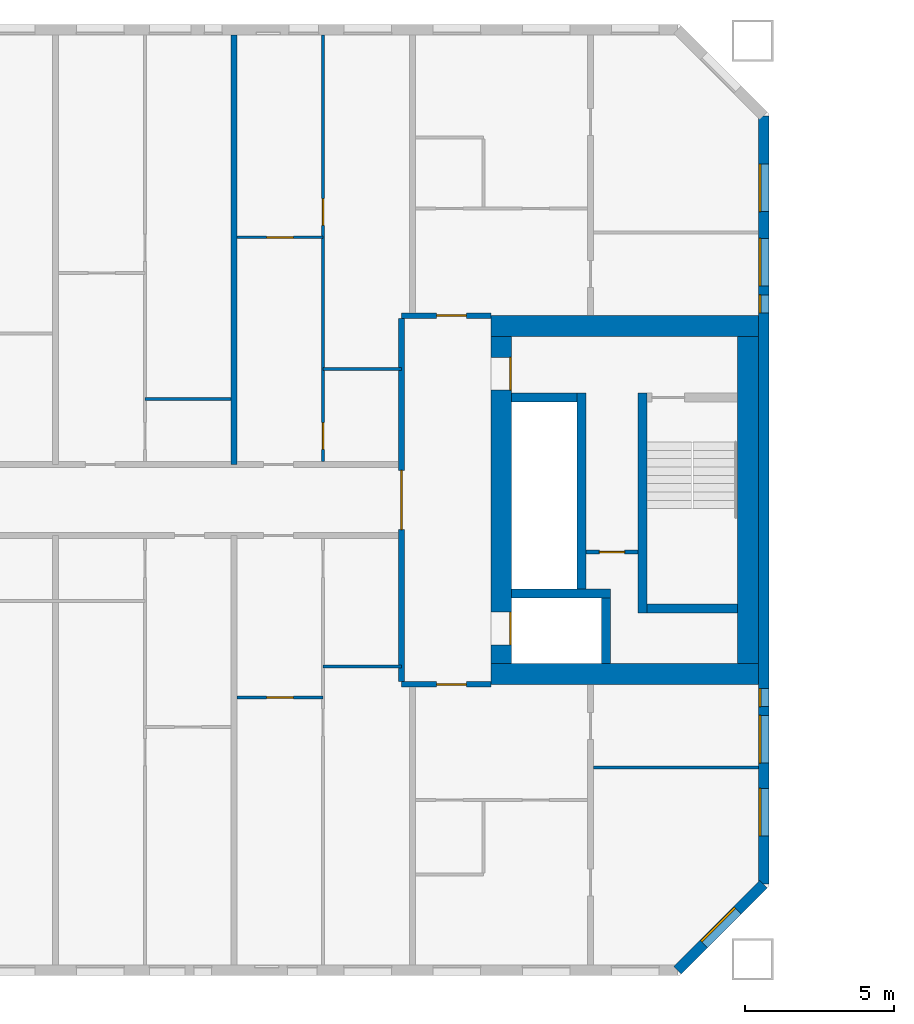
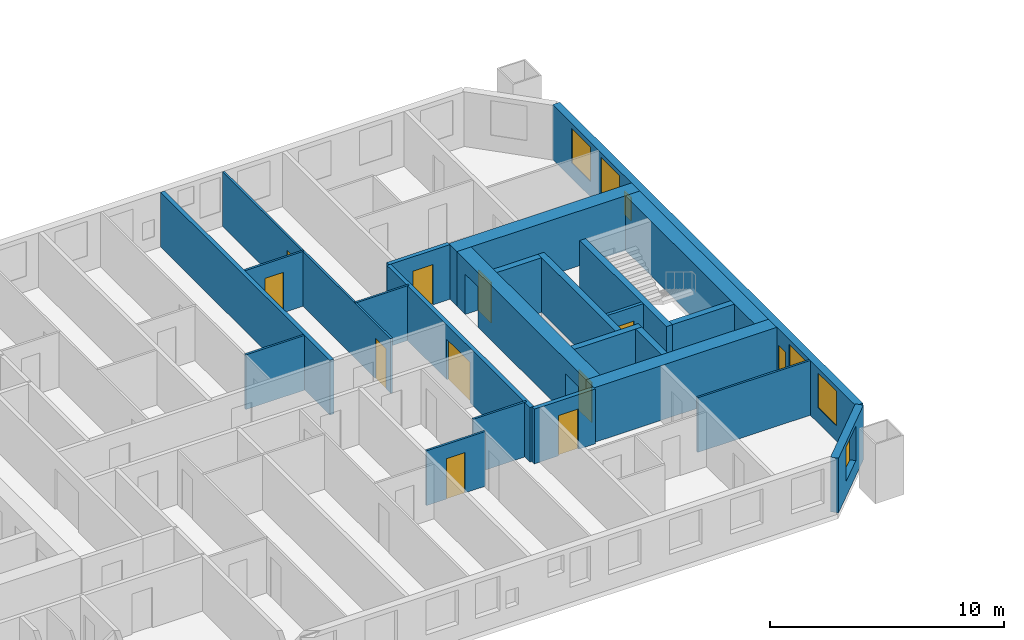
# One storey, part 7 of 17: 24 walls, 10 doors, 7 windows, 17 openings.
"""IFC4 building model written with IfcOpenShell, lengths in metres."""

from ifc_helpers import new_model, si_unit, direction, frame, frame_2d, origin, place, context, subcontext, project, spatial, rectangle, extrude, material, layer, layer_set, type_object, element, fill, save


model = new_model("IFC4")

# Units and contexts
model_context = context("Model", 3, precision=1e-05, world=origin(), true_north=direction((0.0, 1.0)))
body_context = subcontext(model_context, "Body", "Model", "MODEL_VIEW")
ifc_project = project(units=[si_unit("LENGTHUNIT", "METRE"), si_unit("AREAUNIT", "SQUARE_METRE"), si_unit("VOLUMEUNIT", "CUBIC_METRE"), si_unit("PLANEANGLEUNIT", "RADIAN"), si_unit("MASSUNIT", "GRAM", prefix="KILO")], contexts=[model_context])

# Site, building, storey
site_placement = place(None, origin())
site = spatial("IfcSite", under=ifc_project, at=site_placement, CompositionType="ELEMENT")
building_placement = place(site_placement, origin())
building = spatial("IfcBuilding", under=site, at=building_placement, Name="Tuart Gate Housing", CompositionType="ELEMENT")
storey_placement = place(building_placement, frame((0.0, 0.0, 80.89990234375)))
storey = spatial("IfcBuildingStorey", under=building, at=storey_placement, Name="L22", CompositionType="ELEMENT", Elevation=80.89990234375)

# Wall, opening, window
ifc_material_1 = material(Name="Brick", Category="masonry")
ifc_layer_1 = layer(ifc_material_1, 0.360107421875)
ifc_layer_set_1 = layer_set([ifc_layer_1], Name="Brick pier and spandrel wall 360")
wall_type_1 = type_object("IfcWallType", Name="Brick pier and spandrel wall 360", PredefinedType="STANDARD", material=ifc_layer_set_1)
wall_1_placement = place(storey_placement, frame((72.92529296875, 54.179931640625, 0.0), z_axis=(0.0, 0.0, 1.0), x_axis=(0.707106781187, 0.707106781187, 0.0)))
wall_1 = element("IfcWall", 1, at=wall_1_placement, inside=storey, type_object=wall_type_1, Name="External wall A-SE L22", PredefinedType="STANDARD", context=body_context, shape_type="SweptSolid", body=[
    extrude(rectangle(XDim=4.09375, YDim=0.360107421875, at=frame_2d((2.046875, 0.0))), origin(), (0.0, 0.0, 1.0), 2.85009765625),
])
opening_1_placement = place(wall_1_placement, frame((1.2470703125, 0.0, 0.800048828125)))
opening_1 = element("IfcOpeningElement", 2, at=opening_1_placement, cuts=wall_1, Name="Opening W1", PredefinedType="OPENING", context=body_context, shape_type="SweptSolid", body=[
    extrude(rectangle(XDim=1.60009765625, YDim=1.800048828125, at=frame_2d((0.800048828125, 0.89990234375))), frame((0.0, 0.18994140625, 0.0), z_axis=(0.0, -1.0, 0.0), x_axis=(1.0, 0.0, 0.0)), (0.0, 0.0, 1.0), 0.380126953125),
])
ifc_material_2 = material(Name="Aluminium frame with clear glass", Category="aluminium")
window_type_1 = type_object("IfcWindowType", Name="Punched window 1600 x 1800", PartitioningType="SINGLE_PANEL", PredefinedType="WINDOW", material=ifc_material_2)
window_1_placement = place(opening_1_placement, origin())
window_1 = element("IfcWindow", 3, at=window_1_placement, inside=storey, type_object=window_type_1, Name="Window W1", OverallHeight=1.800048828125, OverallWidth=1.60009765625, PartitioningType="SINGLE_PANEL", PredefinedType="WINDOW", context=body_context, shape_type="SweptSolid", body=[
    extrude(rectangle(XDim=1.60009765625, YDim=1.800048828125, at=frame_2d((0.800048828125, 0.89990234375))), frame((0.0, 0.150146484375, 0.0), z_axis=(0.0, -1.0, 0.0), x_axis=(1.0, 0.0, 0.0)), (0.0, 0.0, 1.0), 0.06005859375),
])
fill(opening_1, window_1)

# Wall, openings, windows
wall_2_placement = place(storey_placement, frame((75.820068359375, 57.07470703125, 0.0), z_axis=(0.0, 0.0, 1.0), x_axis=(0.0, 1.0, 0.0)))
wall_2 = element("IfcWall", 4, at=wall_2_placement, inside=storey, type_object=wall_type_1, Name="External wall A-E L22", PredefinedType="STANDARD", context=body_context, shape_type="SweptSolid", body=[
    extrude(rectangle(XDim=25.850830078125, YDim=0.360107421875, at=frame_2d((12.92529296875, 0.0))), origin(), (0.0, 0.0, 1.0), 2.85009765625),
])
opening_2_placement = place(wall_2_placement, frame((1.62548828125, 0.0, 0.800048828125)))
opening_2 = element("IfcOpeningElement", 5, at=opening_2_placement, cuts=wall_2, Name="Opening W1", PredefinedType="OPENING", context=body_context, shape_type="SweptSolid", body=[
    extrude(rectangle(XDim=1.60009765625, YDim=1.800048828125, at=frame_2d((0.800048828125, 0.89990234375))), frame((0.0, 0.18994140625, 0.0), z_axis=(0.0, -1.0, 0.0), x_axis=(1.0, 0.0, 0.0)), (0.0, 0.0, 1.0), 0.380126953125),
])
opening_3_placement = place(wall_2_placement, frame((4.075439453125, 0.0, 0.800048828125)))
opening_3 = element("IfcOpeningElement", 6, at=opening_3_placement, cuts=wall_2, Name="Opening W1", PredefinedType="OPENING", context=body_context, shape_type="SweptSolid", body=[
    extrude(rectangle(XDim=1.60009765625, YDim=1.800048828125, at=frame_2d((0.800048828125, 0.89990234375))), frame((0.0, 0.18994140625, 0.0), z_axis=(0.0, -1.0, 0.0), x_axis=(1.0, 0.0, 0.0)), (0.0, 0.0, 1.0), 0.380126953125),
])
opening_4_placement = place(wall_2_placement, frame((19.225341796875, 0.0, 0.800048828125)))
opening_4 = element("IfcOpeningElement", 7, at=opening_4_placement, cuts=wall_2, Name="Opening W1Q", PredefinedType="OPENING", context=body_context, shape_type="SweptSolid", body=[
    extrude(rectangle(XDim=0.60009765625, YDim=1.199951171875, at=frame_2d((0.300048828125, 0.60009765625))), frame((0.0, 0.18994140625, 0.0), z_axis=(0.0, -1.0, 0.0), x_axis=(1.0, 0.0, 0.0)), (0.0, 0.0, 1.0), 0.380126953125),
])
opening_5_placement = place(wall_2_placement, frame((22.62548828125, 0.0, 0.800048828125)))
opening_5 = element("IfcOpeningElement", 8, at=opening_5_placement, cuts=wall_2, Name="Opening W1", PredefinedType="OPENING", context=body_context, shape_type="SweptSolid", body=[
    extrude(rectangle(XDim=1.60009765625, YDim=1.800048828125, at=frame_2d((0.800048828125, 0.89990234375))), frame((0.0, 0.18994140625, 0.0), z_axis=(0.0, -1.0, 0.0), x_axis=(1.0, 0.0, 0.0)), (0.0, 0.0, 1.0), 0.380126953125),
])
opening_6_placement = place(wall_2_placement, frame((5.975341796875, 0.0, 0.800048828125)))
opening_6 = element("IfcOpeningElement", 9, at=opening_6_placement, cuts=wall_2, Name="Opening W1Q", PredefinedType="OPENING", context=body_context, shape_type="SweptSolid", body=[
    extrude(rectangle(XDim=0.60009765625, YDim=1.199951171875, at=frame_2d((0.300048828125, 0.60009765625))), frame((0.0, 0.18994140625, 0.0), z_axis=(0.0, -1.0, 0.0), x_axis=(1.0, 0.0, 0.0)), (0.0, 0.0, 1.0), 0.380126953125),
])
opening_7_placement = place(wall_2_placement, frame((20.12548828125, 0.0, 0.800048828125)))
opening_7 = element("IfcOpeningElement", 10, at=opening_7_placement, cuts=wall_2, Name="Opening W1", PredefinedType="OPENING", context=body_context, shape_type="SweptSolid", body=[
    extrude(rectangle(XDim=1.60009765625, YDim=1.800048828125, at=frame_2d((0.800048828125, 0.89990234375))), frame((0.0, 0.18994140625, 0.0), z_axis=(0.0, -1.0, 0.0), x_axis=(1.0, 0.0, 0.0)), (0.0, 0.0, 1.0), 0.380126953125),
])
window_2_placement = place(opening_2_placement, origin())
window_2 = element("IfcWindow", 11, at=window_2_placement, inside=storey, type_object=window_type_1, Name="Window W1", OverallHeight=1.800048828125, OverallWidth=1.60009765625, PartitioningType="SINGLE_PANEL", PredefinedType="WINDOW", context=body_context, shape_type="SweptSolid", body=[
    extrude(rectangle(XDim=1.60009765625, YDim=1.800048828125, at=frame_2d((0.800048828125, 0.89990234375))), frame((0.0, 0.150146484375, 0.0), z_axis=(0.0, -1.0, 0.0), x_axis=(1.0, 0.0, 0.0)), (0.0, 0.0, 1.0), 0.06005859375),
])
fill(opening_2, window_2)
window_3_placement = place(opening_3_placement, origin())
window_3 = element("IfcWindow", 12, at=window_3_placement, inside=storey, type_object=window_type_1, Name="Window W1", OverallHeight=1.800048828125, OverallWidth=1.60009765625, PartitioningType="SINGLE_PANEL", PredefinedType="WINDOW", context=body_context, shape_type="SweptSolid", body=[
    extrude(rectangle(XDim=1.60009765625, YDim=1.800048828125, at=frame_2d((0.800048828125, 0.89990234375))), frame((0.0, 0.150146484375, 0.0), z_axis=(0.0, -1.0, 0.0), x_axis=(1.0, 0.0, 0.0)), (0.0, 0.0, 1.0), 0.06005859375),
])
fill(opening_3, window_3)
window_4_placement = place(opening_5_placement, origin())
window_4 = element("IfcWindow", 13, at=window_4_placement, inside=storey, type_object=window_type_1, Name="Window W1", OverallHeight=1.800048828125, OverallWidth=1.60009765625, PartitioningType="SINGLE_PANEL", PredefinedType="WINDOW", context=body_context, shape_type="SweptSolid", body=[
    extrude(rectangle(XDim=1.60009765625, YDim=1.800048828125, at=frame_2d((0.800048828125, 0.89990234375))), frame((0.0, 0.150146484375, 0.0), z_axis=(0.0, -1.0, 0.0), x_axis=(1.0, 0.0, 0.0)), (0.0, 0.0, 1.0), 0.06005859375),
])
fill(opening_5, window_4)
window_5_placement = place(opening_7_placement, origin())
window_5 = element("IfcWindow", 14, at=window_5_placement, inside=storey, type_object=window_type_1, Name="Window W1", OverallHeight=1.800048828125, OverallWidth=1.60009765625, PartitioningType="SINGLE_PANEL", PredefinedType="WINDOW", context=body_context, shape_type="SweptSolid", body=[
    extrude(rectangle(XDim=1.60009765625, YDim=1.800048828125, at=frame_2d((0.800048828125, 0.89990234375))), frame((0.0, 0.150146484375, 0.0), z_axis=(0.0, -1.0, 0.0), x_axis=(1.0, 0.0, 0.0)), (0.0, 0.0, 1.0), 0.06005859375),
])
fill(opening_7, window_5)
ifc_material_3 = material(Name="Aluminium frame with clear glass", Category="aluminium")
window_type_2 = type_object("IfcWindowType", Name="Punched window 600 x 1200", PartitioningType="SINGLE_PANEL", PredefinedType="WINDOW", material=ifc_material_3)
window_6_placement = place(opening_4_placement, origin())
window_6 = element("IfcWindow", 15, at=window_6_placement, inside=storey, type_object=window_type_2, Name="Window W1Q", OverallHeight=1.199951171875, OverallWidth=0.60009765625, PartitioningType="SINGLE_PANEL", PredefinedType="WINDOW", context=body_context, shape_type="SweptSolid", body=[
    extrude(rectangle(XDim=0.60009765625, YDim=1.199951171875, at=frame_2d((0.300048828125, 0.60009765625))), frame((0.0, 0.150146484375, 0.0), z_axis=(0.0, -1.0, 0.0), x_axis=(1.0, 0.0, 0.0)), (0.0, 0.0, 1.0), 0.06005859375),
])
fill(opening_4, window_6)
window_7_placement = place(opening_6_placement, origin())
window_7 = element("IfcWindow", 16, at=window_7_placement, inside=storey, type_object=window_type_2, Name="Window W1Q", OverallHeight=1.199951171875, OverallWidth=0.60009765625, PartitioningType="SINGLE_PANEL", PredefinedType="WINDOW", context=body_context, shape_type="SweptSolid", body=[
    extrude(rectangle(XDim=0.60009765625, YDim=1.199951171875, at=frame_2d((0.300048828125, 0.60009765625))), frame((0.0, 0.150146484375, 0.0), z_axis=(0.0, -1.0, 0.0), x_axis=(1.0, 0.0, 0.0)), (0.0, 0.0, 1.0), 0.06005859375),
])
fill(opening_6, window_7)

# Wall, opening, door
ifc_material_4 = material(Name="Plasterboard partition")
ifc_layer_2 = layer(ifc_material_4, 0.14990234375)
ifc_layer_set_2 = layer_set([ifc_layer_2], Name="Core partition 150")
wall_type_2 = type_object("IfcWallType", Name="Core partition 150", PredefinedType="PARTITIONING", material=ifc_layer_set_2)
wall_3_placement = place(storey_placement, frame((69.840087890625, 68.25, 0.0), z_axis=(0.0, 0.0, 1.0), x_axis=(1.0, 0.0, 0.0)))
wall_3 = element("IfcWall", 17, at=wall_3_placement, inside=storey, type_object=wall_type_2, Name="Core partition AG.3", PredefinedType="PARTITIONING", context=body_context, shape_type="SweptSolid", body=[
    extrude(rectangle(XDim=1.75, YDim=0.14990234375, at=frame_2d((0.875, 0.0))), origin(), (0.0, 0.0, 1.0), 2.85009765625),
])
opening_8_placement = place(wall_3_placement, frame((0.449951171875, 0.0, 0.0)))
opening_8 = element("IfcOpeningElement", 18, at=opening_8_placement, cuts=wall_3, Name="Opening D988", PredefinedType="OPENING", context=body_context, shape_type="SweptSolid", body=[
    extrude(rectangle(XDim=0.85009765625, YDim=2.10009765625, at=frame_2d((0.425048828125, 1.050048828125))), frame((0.0, 0.0849609375, 0.0), z_axis=(0.0, -1.0, 0.0), x_axis=(1.0, 0.0, 0.0)), (0.0, 0.0, 1.0), 0.169921875),
])
ifc_material_5 = material(Name="Steel fire door", Category="steel")
door_type_1 = type_object("IfcDoorType", Name="Riser door 850 x 2100 RH", OperationType="SINGLE_SWING_RIGHT", PredefinedType="DOOR", material=ifc_material_5)
door_1_placement = place(opening_8_placement, frame((0.85009765625, 0.0, 0.0), z_axis=(0.0, 0.0, 1.0), x_axis=(-1.0, 0.0, 0.0)))
door_1 = element("IfcDoor", 19, at=door_1_placement, inside=storey, type_object=door_type_1, Name="Service room door AG.E1", OperationType="SINGLE_SWING_RIGHT", OverallHeight=2.10009765625, OverallWidth=0.85009765625, PredefinedType="DOOR", context=body_context, shape_type="SweptSolid", body=[
    extrude(rectangle(XDim=0.85009765625, YDim=2.10009765625, at=frame_2d((0.425048828125, 1.050048828125))), frame((0.0, 0.025146484375, 0.0), z_axis=(0.0, -1.0, 0.0), x_axis=(1.0, 0.0, 0.0)), (0.0, 0.0, 1.0), 0.050048828125),
])
fill(opening_8, door_1)

# Walls
ifc_material_6 = material(Name="Concrete C50", Category="concrete")
ifc_layer_3 = layer(ifc_material_6, 0.300048828125)
ifc_layer_set_3 = layer_set([ifc_layer_3], Name="Core wall 300 C50")
wall_type_3 = type_object("IfcWallType", Name="Core wall 300 C50", PredefinedType="SHEAR", material=ifc_layer_set_3)
wall_4_placement = place(storey_placement, frame((71.889892578125, 66.35009765625, 0.0), z_axis=(0.0, 0.0, 1.0), x_axis=(1.0, 0.0, 0.0)))
element("IfcWall", 20, at=wall_4_placement, inside=storey, type_object=wall_type_3, Name="Core wall AG.1", PredefinedType="SHEAR", context=body_context, shape_type="SweptSolid", body=[
    extrude(rectangle(XDim=3.050048828125, YDim=0.300048828125, at=frame_2d((1.52490234375, 0.0))), origin(), (0.0, 0.0, 1.0), 2.85009765625),
])
wall_5_placement = place(storey_placement, frame((67.340087890625, 66.85009765625, 0.0), z_axis=(0.0, 0.0, 1.0), x_axis=(1.0, 0.0, 0.0)))
element("IfcWall", 21, at=wall_5_placement, inside=storey, type_object=wall_type_3, Name="Core wall AG.2", PredefinedType="SHEAR", context=body_context, shape_type="SweptSolid", body=[
    extrude(rectangle(XDim=3.31982421875, YDim=0.300048828125, at=frame_2d((1.659912109375, 0.0))), origin(), (0.0, 0.0, 1.0), 2.85009765625),
])
wall_6_placement = place(storey_placement, frame((67.340087890625, 73.449951171875, 0.0), z_axis=(0.0, 0.0, 1.0), x_axis=(1.0, 0.0, 0.0)))
element("IfcWall", 22, at=wall_6_placement, inside=storey, type_object=wall_type_3, Name="Core wall AG.4", PredefinedType="SHEAR", context=body_context, shape_type="SweptSolid", body=[
    extrude(rectangle(XDim=2.199951171875, YDim=0.300048828125, at=frame_2d((1.10009765625, 0.0))), origin(), (0.0, 0.0, 1.0), 2.85009765625),
])
wall_7_placement = place(storey_placement, frame((69.68994140625, 67.0, 0.0), z_axis=(0.0, 0.0, 1.0), x_axis=(0.0, 1.0, 0.0)))
element("IfcWall", 23, at=wall_7_placement, inside=storey, type_object=wall_type_3, Name="Core wall AG.6", PredefinedType="SHEAR", context=body_context, shape_type="SweptSolid", body=[
    extrude(rectangle(XDim=6.60009765625, YDim=0.300048828125, at=frame_2d((3.300048828125, 0.0))), origin(), (0.0, 0.0, 1.0), 2.85009765625),
])
wall_8_placement = place(storey_placement, frame((70.510009765625, 64.5, 0.0), z_axis=(0.0, 0.0, 1.0), x_axis=(0.0, 1.0, 0.0)))
element("IfcWall", 24, at=wall_8_placement, inside=storey, type_object=wall_type_3, Name="Core wall AG.7", PredefinedType="SHEAR", context=body_context, shape_type="SweptSolid", body=[
    extrude(rectangle(XDim=2.199951171875, YDim=0.300048828125, at=frame_2d((1.10009765625, 0.0))), origin(), (0.0, 0.0, 1.0), 2.85009765625),
])
wall_9_placement = place(storey_placement, frame((71.739990234375, 66.199951171875, 0.0), z_axis=(0.0, 0.0, 1.0), x_axis=(0.0, 1.0, 0.0)))
element("IfcWall", 25, at=wall_9_placement, inside=storey, type_object=wall_type_3, Name="Core wall AG.8", PredefinedType="SHEAR", context=body_context, shape_type="SweptSolid", body=[
    extrude(rectangle(XDim=7.400146484375, YDim=0.300048828125, at=frame_2d((3.7001953125, 0.0))), origin(), (0.0, 0.0, 1.0), 2.85009765625),
])

# Wall, openings, doors
ifc_material_7 = material(Name="Concrete C50", Category="concrete")
ifc_layer_4 = layer(ifc_material_7, 0.699951171875)
ifc_layer_set_4 = layer_set([ifc_layer_4], Name="Core wall 700 C50")
wall_type_4 = type_object("IfcWallType", Name="Core wall 700 C50", PredefinedType="SHEAR", material=ifc_layer_set_4)
wall_10_placement = place(storey_placement, frame((66.989990234375, 64.5, 0.0), z_axis=(0.0, 0.0, 1.0), x_axis=(0.0, 1.0, 0.0)))
wall_10 = element("IfcWall", 26, at=wall_10_placement, inside=storey, type_object=wall_type_4, Name="Core wall AG front", PredefinedType="SHEAR", context=body_context, shape_type="SweptSolid", body=[
    extrude(rectangle(XDim=11.0, YDim=0.699951171875, at=frame_2d((5.5, 0.0))), origin(), (0.0, 0.0, 1.0), 2.85009765625),
])
opening_9_placement = place(wall_10_placement, frame((0.625, 0.0, 0.0)))
opening_9 = element("IfcOpeningElement", 27, at=opening_9_placement, cuts=wall_10, Name="Opening LD-FA1", PredefinedType="OPENING", context=body_context, shape_type="SweptSolid", body=[
    extrude(rectangle(XDim=1.10009765625, YDim=2.10009765625, at=frame_2d((0.550048828125, 1.050048828125))), frame((0.0, 0.35986328125, 0.0), z_axis=(0.0, -1.0, 0.0), x_axis=(1.0, 0.0, 0.0)), (0.0, 0.0, 1.0), 0.719970703125),
])
opening_10_placement = place(wall_10_placement, frame((9.199951171875, 0.0, 0.0)))
opening_10 = element("IfcOpeningElement", 28, at=opening_10_placement, cuts=wall_10, Name="Opening D984", PredefinedType="OPENING", context=body_context, shape_type="SweptSolid", body=[
    extrude(rectangle(XDim=1.10009765625, YDim=2.10009765625, at=frame_2d((0.550048828125, 1.050048828125))), frame((0.0, 0.35986328125, 0.0), z_axis=(0.0, -1.0, 0.0), x_axis=(1.0, 0.0, 0.0)), (0.0, 0.0, 1.0), 0.719970703125),
])
ifc_material_8 = material(Name="Stainless steel", Category="steel")
door_type_2 = type_object("IfcDoorType", Name="Landing door 1100 x 2100", OperationType="DOUBLE_DOOR_SLIDING", PredefinedType="DOOR", material=ifc_material_8)
door_2_placement = place(opening_9_placement, origin())
door_2 = element("IfcDoor", 29, at=door_2_placement, inside=storey, type_object=door_type_2, Name="Lift landing door FA1", OperationType="DOUBLE_DOOR_SLIDING", OverallHeight=2.10009765625, OverallWidth=1.10009765625, PredefinedType="DOOR", context=body_context, shape_type="SweptSolid", body=[
    extrude(rectangle(XDim=1.10009765625, YDim=2.10009765625, at=frame_2d((0.550048828125, 1.050048828125))), frame((0.0, -0.28515625, 0.0), z_axis=(0.0, -1.0, 0.0), x_axis=(1.0, 0.0, 0.0)), (0.0, 0.0, 1.0), 0.050048828125),
])
fill(opening_9, door_2)
ifc_material_9 = material(Name="Steel fire door", Category="steel")
door_type_3 = type_object("IfcDoorType", Name="Lobby door 1100 x 2100 RH", OperationType="SINGLE_SWING_RIGHT", PredefinedType="DOOR", material=ifc_material_9)
door_3_placement = place(opening_10_placement, frame((1.10009765625, 0.0, 0.0), z_axis=(0.0, 0.0, 1.0), x_axis=(-1.0, 0.0, 0.0)))
door_3 = element("IfcDoor", 30, at=door_3_placement, inside=storey, type_object=door_type_3, Name="Lobby entry door AG.EN", OperationType="SINGLE_SWING_RIGHT", OverallHeight=2.10009765625, OverallWidth=1.10009765625, PredefinedType="DOOR", context=body_context, shape_type="SweptSolid", body=[
    extrude(rectangle(XDim=1.10009765625, YDim=2.10009765625, at=frame_2d((0.550048828125, 1.050048828125))), frame((0.0, 0.335205078125, 0.0), z_axis=(0.0, -1.0, 0.0), x_axis=(1.0, 0.0, 0.0)), (0.0, 0.0, 1.0), 0.050048828125),
])
fill(opening_10, door_3)

# Walls
wall_11_placement = place(storey_placement, frame((75.2900390625, 64.5, 0.0), z_axis=(0.0, 0.0, 1.0), x_axis=(0.0, 1.0, 0.0)))
element("IfcWall", 31, at=wall_11_placement, inside=storey, type_object=wall_type_4, Name="Core wall AG back", PredefinedType="SHEAR", context=body_context, shape_type="SweptSolid", body=[
    extrude(rectangle(XDim=11.0, YDim=0.699951171875, at=frame_2d((5.5, 0.0))), origin(), (0.0, 0.0, 1.0), 2.85009765625),
])
for number, where, z_axis, x_axis, name in (
    (32, (66.639892578125, 64.14990234375, 0.0), (0.0, 0.0, 1.0), (1.0, 0.0, 0.0), "Core wall AG south"),
    (33, (66.639892578125, 75.85009765625, 0.0), (0.0, 0.0, 1.0), (1.0, 0.0, 0.0), "Core wall AG north"),
):
    element("IfcWall", number, at=place(storey_placement, frame(where, z_axis=z_axis, x_axis=x_axis)), inside=storey, type_object=wall_type_4, Name=name, PredefinedType="SHEAR", context=body_context, shape_type="SweptSolid", body=[
        extrude(rectangle(XDim=9.0, YDim=0.699951171875, at=frame_2d((4.5, 0.0))), origin(), (0.0, 0.0, 1.0), 2.85009765625),
    ])

# Wall, opening, door
ifc_material_10 = material(Name="Concrete masonry 15 MPa", Category="masonry")
ifc_layer_5 = layer(ifc_material_10, 0.199951171875)
ifc_layer_set_5 = layer_set([ifc_layer_5], Name="Enclosure wall masonry 200")
wall_type_5 = type_object("IfcWallType", Name="Enclosure wall masonry 200", PredefinedType="PARTITIONING", material=ifc_layer_set_5)
wall_12_placement = place(storey_placement, frame((63.639892578125, 63.800048828125, 0.0), z_axis=(0.0, 0.0, 1.0), x_axis=(1.0, 0.0, 0.0)))
wall_12 = element("IfcWall", 34, at=wall_12_placement, inside=storey, type_object=wall_type_5, Name="Enclosure wall masonry 200", PredefinedType="PARTITIONING", context=body_context, shape_type="SweptSolid", body=[
    extrude(rectangle(XDim=3.0, YDim=0.199951171875, at=frame_2d((1.5, 0.0))), origin(), (0.0, 0.0, 1.0), 2.85009765625),
])
opening_11_placement = place(wall_12_placement, frame((1.179931640625, 0.0, 0.0)))
opening_11 = element("IfcOpeningElement", 35, at=opening_11_placement, cuts=wall_12, Name="Opening D992", PredefinedType="OPENING", context=body_context, shape_type="SweptSolid", body=[
    extrude(rectangle(XDim=1.0, YDim=2.10009765625, at=frame_2d((0.5, 1.050048828125))), frame((0.0, 0.10986328125, 0.0), z_axis=(0.0, -1.0, 0.0), x_axis=(1.0, 0.0, 0.0)), (0.0, 0.0, 1.0), 0.219970703125),
])
ifc_material_11 = material(Name="Timber door leaf in steel frame", Category="steel")
door_type_4 = type_object("IfcDoorType", Name="Flat entrance door 1000 RH", OperationType="SINGLE_SWING_RIGHT", PredefinedType="DOOR", material=ifc_material_11)
door_4_placement = place(opening_11_placement, frame((1.0, 0.0, 0.0), z_axis=(0.0, 0.0, 1.0), x_axis=(-1.0, 0.0, 0.0)))
door_4 = element("IfcDoor", 36, at=door_4_placement, inside=storey, type_object=door_type_4, Name="Flat entrance door", OperationType="SINGLE_SWING_RIGHT", OverallHeight=2.10009765625, OverallWidth=1.0, PredefinedType="DOOR", context=body_context, shape_type="SweptSolid", body=[
    extrude(rectangle(XDim=1.0, YDim=2.10009765625, at=frame_2d((0.5, 1.050048828125))), frame((0.0, 0.025146484375, 0.0), z_axis=(0.0, -1.0, 0.0), x_axis=(1.0, 0.0, 0.0)), (0.0, 0.0, 1.0), 0.050048828125),
])
fill(opening_11, door_4)

wall_13_placement = place(storey_placement, frame((63.639892578125, 76.199951171875, 0.0), z_axis=(0.0, 0.0, 1.0), x_axis=(1.0, 0.0, 0.0)))
wall_13 = element("IfcWall", 37, at=wall_13_placement, inside=storey, type_object=wall_type_5, Name="Enclosure wall masonry 200", PredefinedType="PARTITIONING", context=body_context, shape_type="SweptSolid", body=[
    extrude(rectangle(XDim=3.0, YDim=0.199951171875, at=frame_2d((1.5, 0.0))), origin(), (0.0, 0.0, 1.0), 2.85009765625),
])
opening_12_placement = place(wall_13_placement, frame((1.179931640625, 0.0, 0.0)))
opening_12 = element("IfcOpeningElement", 38, at=opening_12_placement, cuts=wall_13, Name="Opening D972", PredefinedType="OPENING", context=body_context, shape_type="SweptSolid", body=[
    extrude(rectangle(XDim=1.0, YDim=2.10009765625, at=frame_2d((0.5, 1.050048828125))), frame((0.0, 0.10986328125, 0.0), z_axis=(0.0, -1.0, 0.0), x_axis=(1.0, 0.0, 0.0)), (0.0, 0.0, 1.0), 0.219970703125),
])
ifc_material_12 = material(Name="Timber door leaf in steel frame", Category="steel")
door_type_5 = type_object("IfcDoorType", Name="Flat entrance door 1000", OperationType="SINGLE_SWING_LEFT", PredefinedType="DOOR", material=ifc_material_12)
door_5_placement = place(opening_12_placement, origin())
door_5 = element("IfcDoor", 39, at=door_5_placement, inside=storey, type_object=door_type_5, Name="Flat entrance door", OperationType="SINGLE_SWING_LEFT", OverallHeight=2.10009765625, OverallWidth=1.0, PredefinedType="DOOR", context=body_context, shape_type="SweptSolid", body=[
    extrude(rectangle(XDim=1.0, YDim=2.10009765625, at=frame_2d((0.5, 1.050048828125))), frame((0.0, 0.02490234375, 0.0), z_axis=(0.0, -1.0, 0.0), x_axis=(1.0, 0.0, 0.0)), (0.0, 0.0, 1.0), 0.050048828125),
])
fill(opening_12, door_5)

ifc_material_13 = material(Name="Plasterboard partition")
ifc_layer_6 = layer(ifc_material_13, 0.199951171875)
ifc_layer_set_6 = layer_set([ifc_layer_6], Name="Lobby wall 200")
wall_type_6 = type_object("IfcWallType", Name="Lobby wall 200", PredefinedType="PARTITIONING", material=ifc_layer_set_6)
wall_14_placement = place(storey_placement, frame((63.639892578125, 63.89990234375, 0.0), z_axis=(0.0, 0.0, 1.0), x_axis=(0.0, 1.0, 0.0)))
wall_14 = element("IfcWall", 40, at=wall_14_placement, inside=storey, type_object=wall_type_6, Name="Lift lobby wall AG", PredefinedType="PARTITIONING", context=body_context, shape_type="SweptSolid", body=[
    extrude(rectangle(XDim=12.2001953125, YDim=0.199951171875, at=frame_2d((6.10009765625, 0.0))), origin(), (0.0, 0.0, 1.0), 2.85009765625),
])
opening_13_placement = place(wall_14_placement, frame((5.10009765625, 0.0, 0.0)))
opening_13 = element("IfcOpeningElement", 41, at=opening_13_placement, cuts=wall_14, Name="Opening D983", PredefinedType="OPENING", context=body_context, shape_type="SweptSolid", body=[
    extrude(rectangle(XDim=2.0, YDim=2.10009765625, at=frame_2d((1.0, 1.050048828125))), frame((0.0, 0.10986328125, 0.0), z_axis=(0.0, -1.0, 0.0), x_axis=(1.0, 0.0, 0.0)), (0.0, 0.0, 1.0), 0.219970703125),
])
ifc_material_14 = material(Name="Steel fire door", Category="steel")
door_type_6 = type_object("IfcDoorType", Name="Smoke door 2000 x 2100", OperationType="DOUBLE_DOOR_SINGLE_SWING", PredefinedType="DOOR", material=ifc_material_14)
door_6_placement = place(opening_13_placement, frame((2.0, 0.0, 0.0), z_axis=(0.0, 0.0, 1.0), x_axis=(-1.0, 0.0, 0.0)))
door_6 = element("IfcDoor", 42, at=door_6_placement, inside=storey, type_object=door_type_6, Name="Lift lobby smoke door AG", OperationType="DOUBLE_DOOR_SINGLE_SWING", OverallHeight=2.10009765625, OverallWidth=2.0, PredefinedType="DOOR", context=body_context, shape_type="SweptSolid", body=[
    extrude(rectangle(XDim=2.0, YDim=2.10009765625, at=frame_2d((1.0, 1.050048828125))), frame((0.0, 0.025146484375, 0.0), z_axis=(0.0, -1.0, 0.0), x_axis=(1.0, 0.0, 0.0)), (0.0, 0.0, 1.0), 0.050048828125),
])
fill(opening_13, door_6)

# Wall
ifc_material_15 = material(Name="Gypsum board on steel studs", Category="steel")
ifc_layer_7 = layer(ifc_material_15, 0.10009765625)
ifc_layer_set_7 = layer_set([ifc_layer_7], Name="Partition 100")
wall_type_7 = type_object("IfcWallType", Name="Partition 100", PredefinedType="PARTITIONING", material=ifc_layer_set_7)
wall_15_placement = place(storey_placement, frame((70.10009765625, 61.0, 0.0), z_axis=(0.0, 0.0, 1.0), x_axis=(1.0, 0.0, 0.0)))
element("IfcWall", 43, at=wall_15_placement, inside=storey, type_object=wall_type_7, Name="Partition 100", PredefinedType="PARTITIONING", context=body_context, shape_type="SweptSolid", body=[
    extrude(rectangle(XDim=5.539794921875, YDim=0.10009765625, at=frame_2d((2.77001953125, 0.0))), origin(), (0.0, 0.0, 1.0), 2.85009765625),
])

# Wall, opening, door
wall_16_placement = place(storey_placement, frame((58.10009765625, 63.360107421875, 0.0), z_axis=(0.0, 0.0, 1.0), x_axis=(1.0, 0.0, 0.0)))
wall_16 = element("IfcWall", 44, at=wall_16_placement, inside=storey, type_object=wall_type_7, Name="Partition 100", PredefinedType="PARTITIONING", context=body_context, shape_type="SweptSolid", body=[
    extrude(rectangle(XDim=2.89990234375, YDim=0.10009765625, at=frame_2d((1.449951171875, 0.0))), origin(), (0.0, 0.0, 1.0), 2.85009765625),
])
opening_14_placement = place(wall_16_placement, frame((1.0, 0.0, 0.0)))
opening_14 = element("IfcOpeningElement", 45, at=opening_14_placement, cuts=wall_16, Name="Opening D993", PredefinedType="OPENING", context=body_context, shape_type="SweptSolid", body=[
    extrude(rectangle(XDim=0.89990234375, YDim=2.10009765625, at=frame_2d((0.449951171875, 1.050048828125))), frame((0.0, 0.06005859375, 0.0), z_axis=(0.0, -1.0, 0.0), x_axis=(1.0, 0.0, 0.0)), (0.0, 0.0, 1.0), 0.1201171875),
])
ifc_material_16 = material(Name="Timber door leaf in steel frame", Category="steel")
door_type_7 = type_object("IfcDoorType", Name="Internal door 900 RH", OperationType="SINGLE_SWING_RIGHT", PredefinedType="DOOR", material=ifc_material_16)
door_7_placement = place(opening_14_placement, origin())
door_7 = element("IfcDoor", 46, at=door_7_placement, inside=storey, type_object=door_type_7, Name="Internal door", OperationType="SINGLE_SWING_RIGHT", OverallHeight=2.10009765625, OverallWidth=0.89990234375, PredefinedType="DOOR", context=body_context, shape_type="SweptSolid", body=[
    extrude(rectangle(XDim=0.89990234375, YDim=2.10009765625, at=frame_2d((0.449951171875, 1.050048828125))), frame((0.0, 0.02490234375, 0.0), z_axis=(0.0, -1.0, 0.0), x_axis=(1.0, 0.0, 0.0)), (0.0, 0.0, 1.0), 0.050048828125),
])
fill(opening_14, door_7)

# Walls
wall_17_placement = place(storey_placement, frame((61.0, 64.39990234375, 0.0), z_axis=(0.0, 0.0, 1.0), x_axis=(1.0, 0.0, 0.0)))
element("IfcWall", 47, at=wall_17_placement, inside=storey, type_object=wall_type_7, Name="Partition 100", PredefinedType="PARTITIONING", context=body_context, shape_type="SweptSolid", body=[
    extrude(rectangle(XDim=2.639892578125, YDim=0.10009765625, at=frame_2d((1.31982421875, 0.0))), origin(), (0.0, 0.0, 1.0), 2.85009765625),
])
wall_18_placement = place(storey_placement, frame((55.0, 73.39990234375, 0.0), z_axis=(0.0, 0.0, 1.0), x_axis=(1.0, 0.0, 0.0)))
element("IfcWall", 48, at=wall_18_placement, inside=storey, type_object=wall_type_7, Name="Partition 100", PredefinedType="PARTITIONING", context=body_context, shape_type="SweptSolid", body=[
    extrude(rectangle(XDim=2.89990234375, YDim=0.10009765625, at=frame_2d((1.449951171875, 0.0))), origin(), (0.0, 0.0, 1.0), 2.85009765625),
])
wall_19_placement = place(storey_placement, frame((61.0, 74.39990234375, 0.0), z_axis=(0.0, 0.0, 1.0), x_axis=(1.0, 0.0, 0.0)))
element("IfcWall", 49, at=wall_19_placement, inside=storey, type_object=wall_type_7, Name="Partition 100", PredefinedType="PARTITIONING", context=body_context, shape_type="SweptSolid", body=[
    extrude(rectangle(XDim=2.639892578125, YDim=0.10009765625, at=frame_2d((1.31982421875, 0.0))), origin(), (0.0, 0.0, 1.0), 2.85009765625),
])

# Wall, opening, door
wall_20_placement = place(storey_placement, frame((58.10009765625, 78.840087890625, 0.0), z_axis=(0.0, 0.0, 1.0), x_axis=(1.0, 0.0, 0.0)))
wall_20 = element("IfcWall", 50, at=wall_20_placement, inside=storey, type_object=wall_type_7, Name="Partition 100", PredefinedType="PARTITIONING", context=body_context, shape_type="SweptSolid", body=[
    extrude(rectangle(XDim=2.89990234375, YDim=0.10009765625, at=frame_2d((1.449951171875, 0.0))), origin(), (0.0, 0.0, 1.0), 2.85009765625),
])
opening_15_placement = place(wall_20_placement, frame((1.0, 0.0, 0.0)))
opening_15 = element("IfcOpeningElement", 51, at=opening_15_placement, cuts=wall_20, Name="Opening D960", PredefinedType="OPENING", context=body_context, shape_type="SweptSolid", body=[
    extrude(rectangle(XDim=0.89990234375, YDim=2.10009765625, at=frame_2d((0.449951171875, 1.050048828125))), frame((0.0, 0.06005859375, 0.0), z_axis=(0.0, -1.0, 0.0), x_axis=(1.0, 0.0, 0.0)), (0.0, 0.0, 1.0), 0.1201171875),
])
ifc_material_17 = material(Name="Timber door leaf in steel frame", Category="steel")
door_type_8 = type_object("IfcDoorType", Name="Internal door 900", OperationType="SINGLE_SWING_LEFT", PredefinedType="DOOR", material=ifc_material_17)
door_8_placement = place(opening_15_placement, frame((0.89990234375, 0.0, 0.0), z_axis=(0.0, 0.0, 1.0), x_axis=(-1.0, 0.0, 0.0)))
door_8 = element("IfcDoor", 52, at=door_8_placement, inside=storey, type_object=door_type_8, Name="Internal door", OperationType="SINGLE_SWING_LEFT", OverallHeight=2.10009765625, OverallWidth=0.89990234375, PredefinedType="DOOR", context=body_context, shape_type="SweptSolid", body=[
    extrude(rectangle(XDim=0.89990234375, YDim=2.10009765625, at=frame_2d((0.449951171875, 1.050048828125))), frame((0.0, 0.025146484375, 0.0), z_axis=(0.0, -1.0, 0.0), x_axis=(1.0, 0.0, 0.0)), (0.0, 0.0, 1.0), 0.050048828125),
])
fill(opening_15, door_8)

# Wall, openings, doors
wall_21_placement = place(storey_placement, frame((61.0, 71.300048828125, 0.0), z_axis=(0.0, 0.0, 1.0), x_axis=(0.0, 1.0, 0.0)))
wall_21 = element("IfcWall", 53, at=wall_21_placement, inside=storey, type_object=wall_type_7, Name="Partition 100", PredefinedType="PARTITIONING", context=body_context, shape_type="SweptSolid", body=[
    extrude(rectangle(XDim=14.33984375, YDim=0.10009765625, at=frame_2d((7.169921875, 0.0))), origin(), (0.0, 0.0, 1.0), 2.85009765625),
])
opening_16_placement = place(wall_21_placement, frame((7.93994140625, 0.0, 0.0)))
opening_16 = element("IfcOpeningElement", 54, at=opening_16_placement, cuts=wall_21, Name="Opening D968", PredefinedType="OPENING", context=body_context, shape_type="SweptSolid", body=[
    extrude(rectangle(XDim=0.89990234375, YDim=2.10009765625, at=frame_2d((0.449951171875, 1.050048828125))), frame((0.0, 0.06005859375, 0.0), z_axis=(0.0, -1.0, 0.0), x_axis=(1.0, 0.0, 0.0)), (0.0, 0.0, 1.0), 0.1201171875),
])
opening_17_placement = place(wall_21_placement, frame((0.39990234375, 0.0, 0.0)))
opening_17 = element("IfcOpeningElement", 55, at=opening_17_placement, cuts=wall_21, Name="Opening D967", PredefinedType="OPENING", context=body_context, shape_type="SweptSolid", body=[
    extrude(rectangle(XDim=0.89990234375, YDim=2.10009765625, at=frame_2d((0.449951171875, 1.050048828125))), frame((0.0, 0.06005859375, 0.0), z_axis=(0.0, -1.0, 0.0), x_axis=(1.0, 0.0, 0.0)), (0.0, 0.0, 1.0), 0.1201171875),
])
ifc_material_18 = material(Name="Timber door leaf in steel frame", Category="steel")
door_type_9 = type_object("IfcDoorType", Name="Bathroom door 900 RH", OperationType="SINGLE_SWING_RIGHT", PredefinedType="DOOR", material=ifc_material_18)
door_9_placement = place(opening_17_placement, frame((0.89990234375, 0.0, 0.0), z_axis=(0.0, 0.0, 1.0), x_axis=(-1.0, 0.0, 0.0)))
door_9 = element("IfcDoor", 56, at=door_9_placement, inside=storey, type_object=door_type_9, Name="Bathroom door", OperationType="SINGLE_SWING_RIGHT", OverallHeight=2.10009765625, OverallWidth=0.89990234375, PredefinedType="DOOR", context=body_context, shape_type="SweptSolid", body=[
    extrude(rectangle(XDim=0.89990234375, YDim=2.10009765625, at=frame_2d((0.449951171875, 1.050048828125))), frame((0.0, 0.025146484375, 0.0), z_axis=(0.0, -1.0, 0.0), x_axis=(1.0, 0.0, 0.0)), (0.0, 0.0, 1.0), 0.050048828125),
])
fill(opening_17, door_9)
door_10_placement = place(opening_16_placement, frame((0.89990234375, 0.0, 0.0), z_axis=(0.0, 0.0, 1.0), x_axis=(-1.0, 0.0, 0.0)))
door_10 = element("IfcDoor", 57, at=door_10_placement, inside=storey, type_object=door_type_7, Name="Internal door", OperationType="SINGLE_SWING_RIGHT", OverallHeight=2.10009765625, OverallWidth=0.89990234375, PredefinedType="DOOR", context=body_context, shape_type="SweptSolid", body=[
    extrude(rectangle(XDim=0.89990234375, YDim=2.10009765625, at=frame_2d((0.449951171875, 1.050048828125))), frame((0.0, 0.025146484375, 0.0), z_axis=(0.0, -1.0, 0.0), x_axis=(1.0, 0.0, 0.0)), (0.0, 0.0, 1.0), 0.050048828125),
])
fill(opening_16, door_10)

# Wall
ifc_material_19 = material(Name="Concrete C40", Category="concrete")
ifc_layer_8 = layer(ifc_material_19, 0.199951171875)
ifc_layer_set_8 = layer_set([ifc_layer_8], Name="Party wall concrete C40 200")
wall_type_8 = type_object("IfcWallType", Name="Party wall concrete C40 200", PredefinedType="SOLIDWALL", material=ifc_layer_set_8)
wall_22_placement = place(storey_placement, frame((58.0, 71.199951171875, 0.0), z_axis=(0.0, 0.0, 1.0), x_axis=(0.0, 1.0, 0.0)))
element("IfcWall", 58, at=wall_22_placement, inside=storey, type_object=wall_type_8, Name="Party wall concrete C40 200", PredefinedType="SOLIDWALL", context=body_context, shape_type="SweptSolid", body=[
    extrude(rectangle(XDim=14.43994140625, YDim=0.199951171875, at=frame_2d((7.219970703125, 0.0))), origin(), (0.0, 0.0, 1.0), 2.85009765625),
])

save(model, "model.ifc")
